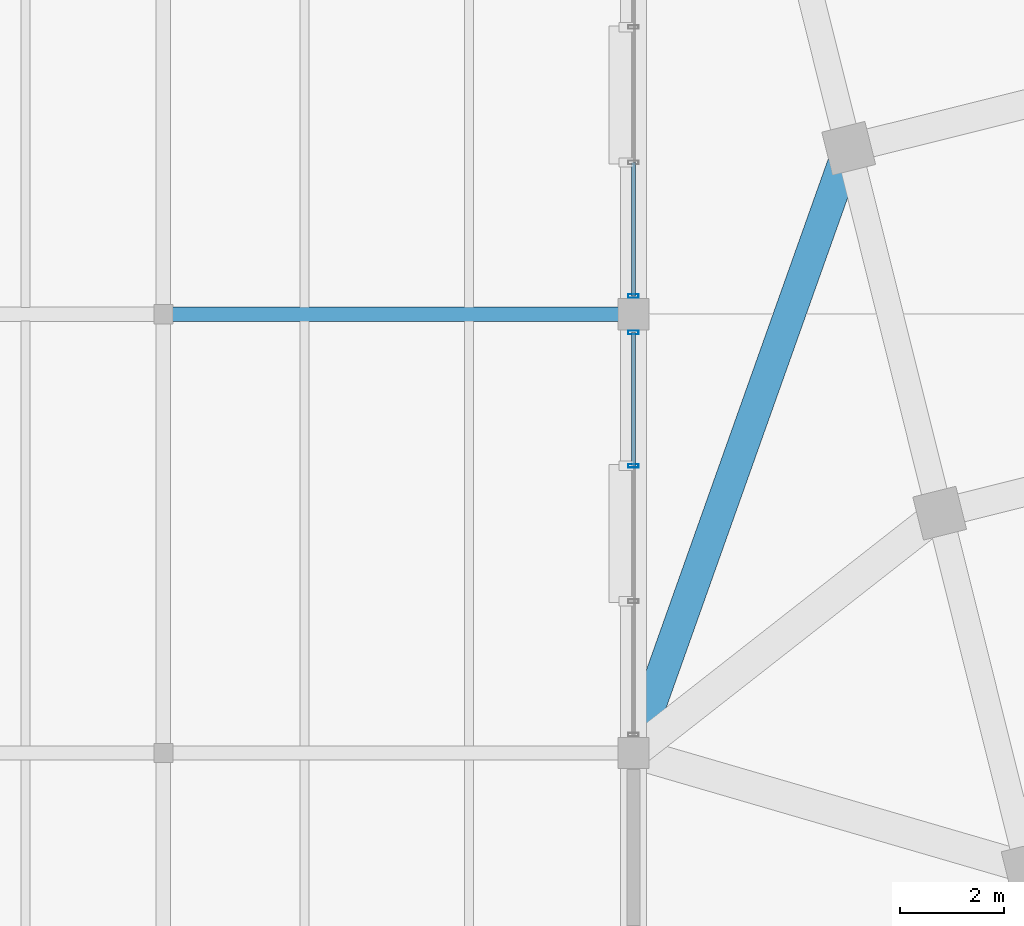
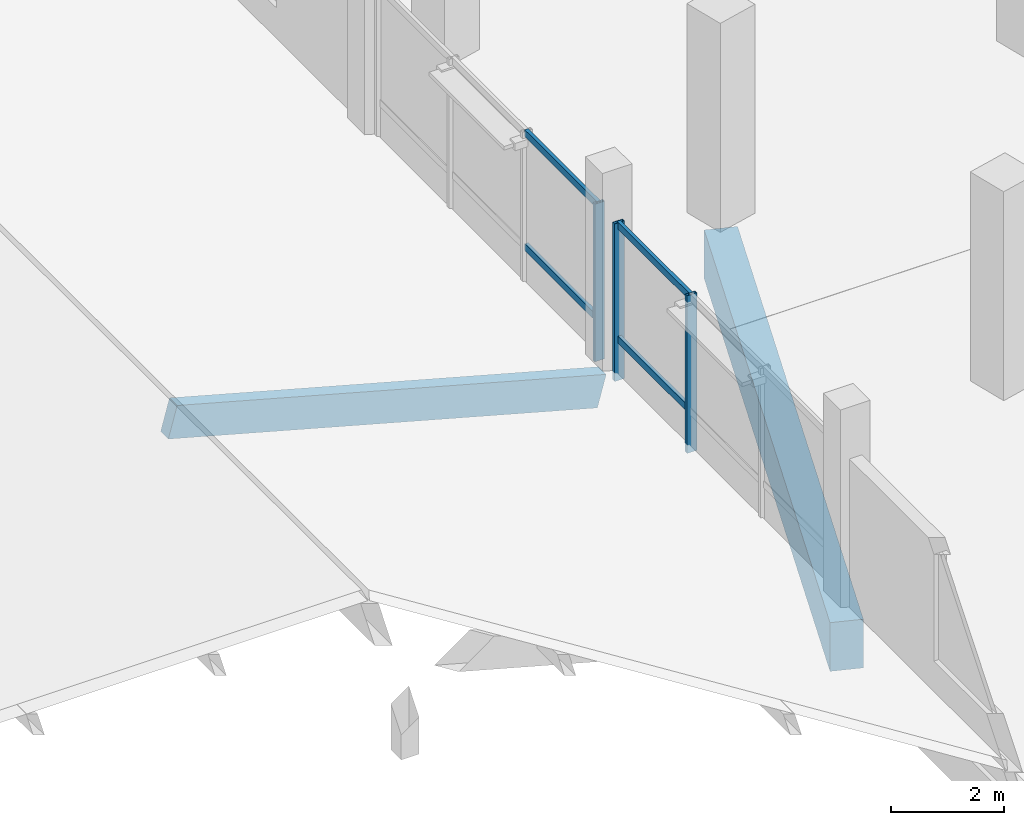
# One storey, part 20 of 77: 7 members, 2 beams, 2 elements without a shape of their own.
"""IFC4 building model written with IfcOpenShell, lengths in metres."""

import ifcopenshell
import ifcopenshell.guid

model = None  # the IFC model being written
_history = None  # IfcOwnerHistory: only IFC2X3 demands one
_inside = {}  # id of a spatial element -> (the spatial element, [elements in it])
_under = {}  # id of a project, library or spatial element -> (it, [spatial elements below it])
_declared = {}  # id of a project -> (the project, [libraries it declares])
_typed = {}  # id of a type object -> (the type object, [elements of that type])
_made_of = {}  # id of a material, layer set ... -> (it, [elements and type objects made of it])


def new_model(schema):
    """Start an empty IFC model of exactly this schema.

    Asked for "IFC4X3", IfcOpenShell would pick the latest addendum, in which some entities
    have other attributes; the version numbers below select the first issue.
    IFC2X3 requires an IfcOwnerHistory on every rooted entity: one is made here for all.
    """
    global model, _history
    if schema == "IFC4X3":
        model = ifcopenshell.file(schema_version=(4, 3, 0, 0))
    else:
        model = ifcopenshell.file(schema=schema)
    _inside.clear()
    _under.clear()
    _declared.clear()
    _typed.clear()
    _made_of.clear()
    _history = None
    if model.schema == "IFC2X3":
        org = make("IfcOrganization", Name="unknown")
        user = make(
            "IfcPersonAndOrganization",
            ThePerson=make("IfcPerson", FamilyName="unknown"),
            TheOrganization=org,
        )
        app = make(
            "IfcApplication",
            ApplicationDeveloper=org,
            Version="unknown",
            ApplicationFullName="unknown",
            ApplicationIdentifier="unknown",
        )
        _history = make(
            "IfcOwnerHistory",
            OwningUser=user,
            OwningApplication=app,
            ChangeAction="ADDED",
            CreationDate=0,
        )
    return model


def make(cls, **values):
    """One entity of the class cls with the attributes given. An attribute that is None is left unset."""
    return model.create_entity(
        cls, **{name: value for name, value in values.items() if value is not None}
    )


def rooted(cls, **values):
    """An entity with a GlobalId (a new one), such as an element, a storey or a relation."""
    return make(cls, GlobalId=ifcopenshell.guid.new(), OwnerHistory=_history, **values)


def si_unit(unit_type, name, prefix=None):
    """IfcSIUnit, for example si_unit("LENGTHUNIT", "METRE", prefix="MILLI")."""
    return make("IfcSIUnit", UnitType=unit_type, Prefix=prefix, Name=name)


def assignment(units):
    """IfcUnitAssignment: the units of a project."""
    return None if units is None else make("IfcUnitAssignment", Units=units)


def point(xyz):
    """IfcCartesianPoint."""
    return None if xyz is None else make("IfcCartesianPoint", Coordinates=xyz)


def direction(xyz):
    """IfcDirection."""
    return None if xyz is None else make("IfcDirection", DirectionRatios=xyz)


def frame(location, z_axis=None, x_axis=None):
    """IfcAxis2Placement3D, a coordinate frame: its origin and axes. An axis left out is left unset."""
    return make(
        "IfcAxis2Placement3D",
        Location=point(location),
        Axis=direction(z_axis),
        RefDirection=direction(x_axis),
    )


def frame_2d(location, x_axis=None):
    """IfcAxis2Placement2D, a coordinate frame in the plane: its origin and x axis."""
    return make(
        "IfcAxis2Placement2D", Location=point(location), RefDirection=direction(x_axis)
    )


def origin():
    """The frame at (0, 0, 0) with its axes left unset."""
    return frame((0.0, 0.0, 0.0))


def origin_2d():
    """The frame at (0, 0) in the plane with its x axis left unset."""
    return frame_2d((0.0, 0.0))


def place(relative_to, where):
    """IfcLocalPlacement: puts the frame where relative to a parent placement (None: the world)."""
    return make(
        "IfcLocalPlacement", PlacementRelTo=relative_to, RelativePlacement=where
    )


def context(
    kind, dimensions, precision=None, world=None, true_north=None, identifier=None
):
    """IfcGeometricRepresentationContext, for example the 3D "Model" context."""
    return make(
        "IfcGeometricRepresentationContext",
        ContextIdentifier=identifier,
        ContextType=kind,
        CoordinateSpaceDimension=dimensions,
        Precision=precision,
        WorldCoordinateSystem=world,
        TrueNorth=true_north,
    )


def subcontext(parent, identifier, kind, view, scale=None):
    """IfcGeometricRepresentationSubContext, for example "Body" below "Model"."""
    return make(
        "IfcGeometricRepresentationSubContext",
        ContextIdentifier=identifier,
        ContextType=kind,
        ParentContext=parent,
        TargetScale=scale,
        TargetView=view,
    )


def project(units=None, contexts=None):
    """IfcProject with its units and contexts."""
    return rooted(
        "IfcProject",
        Name="project",
        RepresentationContexts=contexts,
        UnitsInContext=assignment(units),
    )


def spatial(cls, under=None, at=None, **own):
    """A site, building, storey or space (cls), placed at a placement, below another one or the project."""
    s = rooted(cls, ObjectPlacement=at, **own)
    if under is not None:
        _under.setdefault(under.id(), (under, []))[1].append(s)
    return s


def profile(cls, at=None, kind="AREA", **sizes):
    """A parametric profile (cls). Its sizes go by their IFC names, for example OverallWidth=200.0."""
    return make(cls, ProfileType=kind, Position=at, **sizes)


def rectangle(**sizes):
    """IfcRectangleProfileDef."""
    return profile("IfcRectangleProfileDef", **sizes)


def hollow_rectangle(**sizes):
    """IfcRectangleHollowProfileDef."""
    return profile("IfcRectangleHollowProfileDef", **sizes)


def extrude(swept, where, along, depth):
    """IfcExtrudedAreaSolid: the profile swept, set in the frame where, extruded along a direction by depth."""
    return make(
        "IfcExtrudedAreaSolid",
        SweptArea=swept,
        Position=where,
        ExtrudedDirection=direction(along),
        Depth=depth,
    )


def shape(context_of_items, identifier, shape_type, items):
    """IfcShapeRepresentation: the items that make up one representation, for example the "Body"."""
    return make(
        "IfcShapeRepresentation",
        ContextOfItems=context_of_items,
        RepresentationIdentifier=identifier,
        RepresentationType=shape_type,
        Items=items,
    )


def material(Name=None, Category=None):
    """IfcMaterial."""
    return make("IfcMaterial", Name=Name, Category=Category)


def layer(
    of_material, thickness, ventilated=None, Name=None, Category=None, Priority=None
):
    """IfcMaterialLayer: one layer of a wall or slab, of a material (None: an air gap)."""
    return make(
        "IfcMaterialLayer",
        Material=of_material,
        LayerThickness=thickness,
        IsVentilated=ventilated,
        Name=Name,
        Category=Category,
        Priority=Priority,
    )


def layer_set(layers, Name=None):
    """IfcMaterialLayerSet."""
    return make("IfcMaterialLayerSet", MaterialLayers=layers, LayerSetName=Name)


def material_profile(
    of_material, cross_section, Name=None, Category=None, Priority=None
):
    """IfcMaterialProfile: a cross section and its material."""
    return make(
        "IfcMaterialProfile",
        Name=Name,
        Material=of_material,
        Profile=cross_section,
        Priority=Priority,
        Category=Category,
    )


def profile_set(profiles, Name=None, composite=None):
    """IfcMaterialProfileSet."""
    return make(
        "IfcMaterialProfileSet",
        Name=Name,
        MaterialProfiles=profiles,
        CompositeProfile=composite,
    )


def made_of(thing, what):
    """Note that an element or type object is made of a material, layer set ...; save() writes the relation."""
    if what is not None:
        _made_of.setdefault(what.id(), (what, []))[1].append(thing)
    return thing


def type_object(cls, material=None, **own):
    """A type object (cls), such as IfcWallType, which elements share."""
    return made_of(rooted(cls, **own), material)


def element(
    cls,
    number,
    at=None,
    inside=None,
    cuts=None,
    type_object=None,
    material=None,
    context=None,
    identifier="Body",
    shape_type=None,
    held_by="IfcProductDefinitionShape",
    body=None,
    shapes=None,
    **own,
):
    """One element of the class cls, such as IfcWall. Its Tag is "e" and its number.

    at: its placement. inside: the storey or other place that contains it. cuts: it is an
    opening in that element (IfcRelVoidsElement). A single representation is given by context,
    identifier, shape_type and body (its items); several are given by shapes. held_by: the class
    of the entity that holds the representations. save() writes the other relations.
    """
    e = rooted(cls, Tag="e%d" % number, ObjectPlacement=at, **own)
    if body is not None:
        shapes = [shape(context, identifier, shape_type, body)]
    if shapes is not None:
        e.Representation = make(held_by, Representations=shapes)
    if inside is not None:
        _inside.setdefault(inside.id(), (inside, []))[1].append(e)
    if cuts is not None:
        rooted(
            "IfcRelVoidsElement", RelatingBuildingElement=cuts, RelatedOpeningElement=e
        )
    if type_object is not None:
        _typed.setdefault(type_object.id(), (type_object, []))[1].append(e)
    return made_of(e, material)


def aggregate(whole, parts):
    """IfcRelAggregates: a whole, such as a stair, and the parts it consists of."""
    return rooted("IfcRelAggregates", RelatingObject=whole, RelatedObjects=parts)


def save(model, path):
    """Write the relations noted so far, then the file.

    IfcRelAggregates (storeys below a building ...), IfcRelContainedInSpatialStructure (elements
    in a storey), IfcRelDefinesByType, IfcRelAssociatesMaterial and IfcRelDeclares: one each for
    every whole, place, type object, material and project.
    """
    for whole, parts in _under.values():
        aggregate(whole, parts)
    for where, things in _inside.values():
        rooted(
            "IfcRelContainedInSpatialStructure",
            RelatedElements=things,
            RelatingStructure=where,
        )
    for kind, things in _typed.values():
        rooted("IfcRelDefinesByType", RelatedObjects=things, RelatingType=kind)
    for what, things in _made_of.values():
        rooted("IfcRelAssociatesMaterial", RelatedObjects=things, RelatingMaterial=what)
    for by, libraries in _declared.values():
        rooted("IfcRelDeclares", RelatingContext=by, RelatedDefinitions=libraries)
    model.write(path)


model = new_model("IFC4")

# Units and contexts
model_context = context("Model", 3, precision=1e-05, world=origin(), true_north=direction((0.0, 1.0)))
body_context = subcontext(model_context, "Body", "Model", "MODEL_VIEW")
ifc_project = project(units=[si_unit("LENGTHUNIT", "METRE"), si_unit("AREAUNIT", "SQUARE_METRE"), si_unit("VOLUMEUNIT", "CUBIC_METRE"), si_unit("PLANEANGLEUNIT", "RADIAN"), si_unit("MASSUNIT", "GRAM", prefix="KILO")], contexts=[model_context])

# Site, building, storey
site_placement = place(None, origin())
site = spatial("IfcSite", under=ifc_project, at=site_placement, CompositionType="ELEMENT")
building_placement = place(site_placement, origin())
building = spatial("IfcBuilding", under=site, at=building_placement, Name="Meriwether Solvik Hall", CompositionType="ELEMENT")
storey_placement = place(building_placement, frame((0.0, 0.0, 9.89990234375)))
storey = spatial("IfcBuildingStorey", under=building, at=storey_placement, Name="L02", CompositionType="ELEMENT", Elevation=9.89990234375)

# Beams
ifc_material_1 = material(Name="Glulam Douglas-Fir 24F-V8 GL28h", Category="wood")
ifc_material_profile_1 = material_profile(ifc_material_1, rectangle(XDim=0.27294921875, YDim=0.68505859375, at=origin_2d()), Name="GLB-273X685")
ifc_profile_set_1 = profile_set([ifc_material_profile_1], Name="Glulam Douglas-Fir 24F-V8 GL28h")
beam_type_1 = type_object("IfcBeamType", Name="BM-GL-273X685", PredefinedType="BEAM", material=ifc_profile_set_1)
beam_1_placement = place(storey_placement, frame((59.181640625, 58.39990234375, -0.314208984375), z_axis=(-0.964611383686, 0.0, 0.263675707002), x_axis=(0.0, -1.0, 0.0)))
element("IfcBeam", 1, at=beam_1_placement, inside=storey, type_object=beam_type_1, Name="Raking Glulam Roof Rafter w1_east_gbl_e-G (L02)", PredefinedType="BEAM", context=body_context, shape_type="SweptSolid", body=[
    extrude(rectangle(XDim=0.27294921875, YDim=0.68505859375, at=origin_2d()), origin(), (0.0, 0.0, 1.0), 9.064697265625),
])
ifc_material_2 = material(Name="Concrete C40/50", Category="concrete")
ifc_material_profile_2 = material_profile(ifc_material_2, rectangle(XDim=0.60009765625, YDim=1.050048828125, at=origin_2d()), Name="RCB-600X1050")
ifc_profile_set_2 = profile_set([ifc_material_profile_2], Name="Concrete C40/50")
beam_type_2 = type_object("IfcBeamType", Name="BM-RC-600X1050", PredefinedType="BEAM", material=ifc_profile_set_2)
beam_2_placement = place(storey_placement, frame((63.51953125, 61.576171875, -0.85498046875), z_axis=(-0.335273852022, -0.942120716337, 0.0), x_axis=(0.942120716337, -0.335273852022, 0.0)))
element("IfcBeam", 2, at=beam_2_placement, inside=storey, type_object=beam_type_2, Name="Diaphragm Collector Girder T1/TD-7/F (L02)", PredefinedType="BEAM", context=body_context, shape_type="SweptSolid", body=[
    extrude(rectangle(XDim=0.60009765625, YDim=1.050048828125, at=origin_2d()), origin(), (0.0, 0.0, 1.0), 12.287353515625),
])

# Curtain wall, members
ifc_material_3 = material(Name="Thermally Broken Anodised Aluminium 6063-T6 and Low-E Glass", Category="aluminium")
ifc_layer = layer(ifc_material_3, 0.179931640625)
ifc_layer_set = layer_set([ifc_layer], Name="Thermally Broken Anodised Aluminium 6063-T6 and Low-E Glass")
curtain_wall_type = type_object("IfcCurtainWallType", Name="CW-SF-POD-C", PredefinedType="USERDEFINED", material=ifc_layer_set)
curtain_wall_1_placement = place(storey_placement, origin())
curtain_wall_1 = element("IfcCurtainWall", 3, at=curtain_wall_1_placement, inside=storey, type_object=curtain_wall_type, Name="Curtain Wall wing_Y7_6_29 (L02)", ObjectType="STICK STOREFRONT GLAZING", PredefinedType="USERDEFINED")
ifc_material_4 = material(Name="Anodised Aluminium 6063-T6", Category="aluminium")
ifc_material_profile_3 = material_profile(ifc_material_4, hollow_rectangle(XDim=0.070068359375, YDim=0.199951171875, WallThickness=0.0048828125, at=origin_2d()), Name="CWM-70X200")
ifc_profile_set_3 = profile_set([ifc_material_profile_3], Name="Anodised Aluminium 6063-T6")
member_type_1 = type_object("IfcMemberType", Name="CW-MUL-70X200", PredefinedType="MULLION", material=ifc_profile_set_3)
member_1_placement = place(storey_placement, frame((59.39990234375, 55.49609375, 0.0), z_axis=(0.0, 0.0, 1.0), x_axis=(0.0, 1.0, 0.0)))
member_1 = element("IfcMember", 4, at=member_1_placement, type_object=member_type_1, Name="Curtain Wall Mullion 3", PredefinedType="MULLION", context=body_context, shape_type="SweptSolid", body=[
    extrude(hollow_rectangle(XDim=0.070068359375, YDim=0.199951171875, WallThickness=0.0048828125, at=origin_2d()), origin(), (0.0, 0.0, 1.0), 3.39501953125),
])
member_2_placement = place(storey_placement, frame((59.39990234375, 58.050048828125, 0.0), z_axis=(0.0, 0.0, 1.0), x_axis=(0.0, 1.0, 0.0)))
member_2 = element("IfcMember", 5, at=member_2_placement, type_object=member_type_1, Name="Curtain Wall Mullion 4", PredefinedType="MULLION", context=body_context, shape_type="SweptSolid", body=[
    extrude(hollow_rectangle(XDim=0.070068359375, YDim=0.199951171875, WallThickness=0.0048828125, at=origin_2d()), origin(), (0.0, 0.0, 1.0), 3.39501953125),
])

# Curtain wall, member
curtain_wall_2_placement = place(storey_placement, origin())
curtain_wall_2 = element("IfcCurtainWall", 6, at=curtain_wall_2_placement, inside=storey, type_object=curtain_wall_type, Name="Curtain Wall wing_Y7_7_30 (L02)", ObjectType="STICK STOREFRONT GLAZING", PredefinedType="USERDEFINED")
member_3_placement = place(storey_placement, frame((59.39990234375, 58.75, 0.0), z_axis=(0.0, 0.0, 1.0), x_axis=(0.0, 1.0, 0.0)))
member_3 = element("IfcMember", 7, at=member_3_placement, type_object=member_type_1, Name="Curtain Wall Mullion 1", PredefinedType="MULLION", context=body_context, shape_type="SweptSolid", body=[
    extrude(hollow_rectangle(XDim=0.070068359375, YDim=0.199951171875, WallThickness=0.0048828125, at=origin_2d()), origin(), (0.0, 0.0, 1.0), 3.39501953125),
])

# Member
ifc_material_5 = material(Name="Anodised Aluminium 6063-T6", Category="aluminium")
ifc_material_profile_4 = material_profile(ifc_material_5, hollow_rectangle(XDim=0.070068359375, YDim=0.14990234375, WallThickness=0.0048828125, at=origin_2d()), Name="CWT-70X150")
ifc_profile_set_4 = profile_set([ifc_material_profile_4], Name="Anodised Aluminium 6063-T6")
member_type_2 = type_object("IfcMemberType", Name="CW-TRN-70X150", PredefinedType="USERDEFINED", material=ifc_profile_set_4)
member_4_placement = place(storey_placement, frame((59.39990234375, 55.49609375, 0.880126953125), z_axis=(0.0, 1.0, 0.0), x_axis=(-1.0, 0.0, 0.0)))
member_4 = element("IfcMember", 8, at=member_4_placement, type_object=member_type_2, Name="Curtain Wall Transom 3-sill", ObjectType="TRANSOM", PredefinedType="USERDEFINED", context=body_context, shape_type="SweptSolid", body=[
    extrude(hollow_rectangle(XDim=0.070068359375, YDim=0.14990234375, WallThickness=0.0048828125, at=origin_2d()), origin(), (0.0, 0.0, 1.0), 2.553955078125),
])

member_5_placement = place(storey_placement, frame((59.39990234375, 55.49609375, 3.335205078125), z_axis=(0.0, 1.0, 0.0), x_axis=(-1.0, 0.0, 0.0)))
member_5 = element("IfcMember", 9, at=member_5_placement, type_object=member_type_2, Name="Curtain Wall Transom 3-head", ObjectType="TRANSOM", PredefinedType="USERDEFINED", context=body_context, shape_type="SweptSolid", body=[
    extrude(hollow_rectangle(XDim=0.070068359375, YDim=0.14990234375, WallThickness=0.0048828125, at=origin_2d()), origin(), (0.0, 0.0, 1.0), 2.553955078125),
])

aggregate(curtain_wall_1, [member_1, member_2, member_4, member_5])

member_6_placement = place(storey_placement, frame((59.39990234375, 58.75, 0.880126953125), z_axis=(0.0, 1.0, 0.0), x_axis=(-1.0, 0.0, 0.0)))
member_6 = element("IfcMember", 10, at=member_6_placement, type_object=member_type_2, Name="Curtain Wall Transom 1-sill", ObjectType="TRANSOM", PredefinedType="USERDEFINED", context=body_context, shape_type="SweptSolid", body=[
    extrude(hollow_rectangle(XDim=0.070068359375, YDim=0.14990234375, WallThickness=0.0048828125, at=origin_2d()), origin(), (0.0, 0.0, 1.0), 2.553955078125),
])

member_7_placement = place(storey_placement, frame((59.39990234375, 58.75, 3.335205078125), z_axis=(0.0, 1.0, 0.0), x_axis=(-1.0, 0.0, 0.0)))
member_7 = element("IfcMember", 11, at=member_7_placement, type_object=member_type_2, Name="Curtain Wall Transom 1-head", ObjectType="TRANSOM", PredefinedType="USERDEFINED", context=body_context, shape_type="SweptSolid", body=[
    extrude(hollow_rectangle(XDim=0.070068359375, YDim=0.14990234375, WallThickness=0.0048828125, at=origin_2d()), origin(), (0.0, 0.0, 1.0), 2.553955078125),
])

aggregate(curtain_wall_2, [member_3, member_6, member_7])

save(model, "model.ifc")
